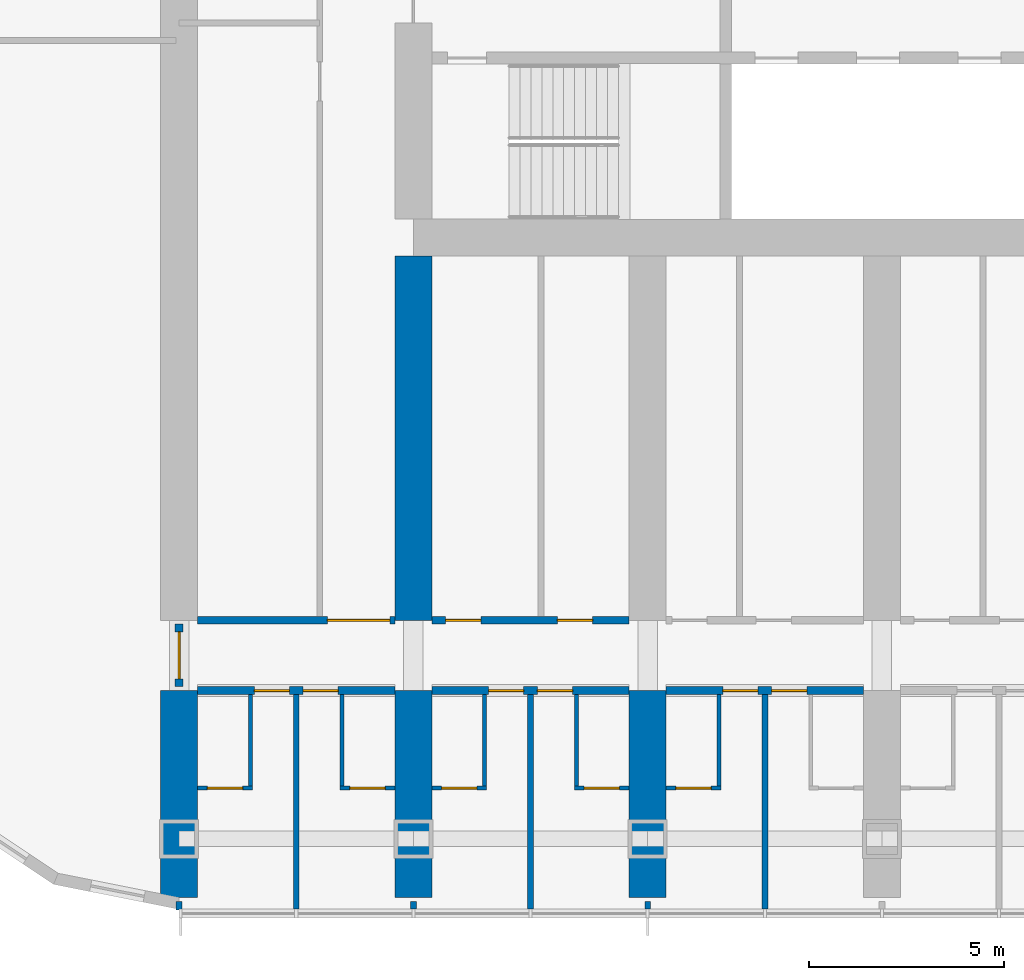
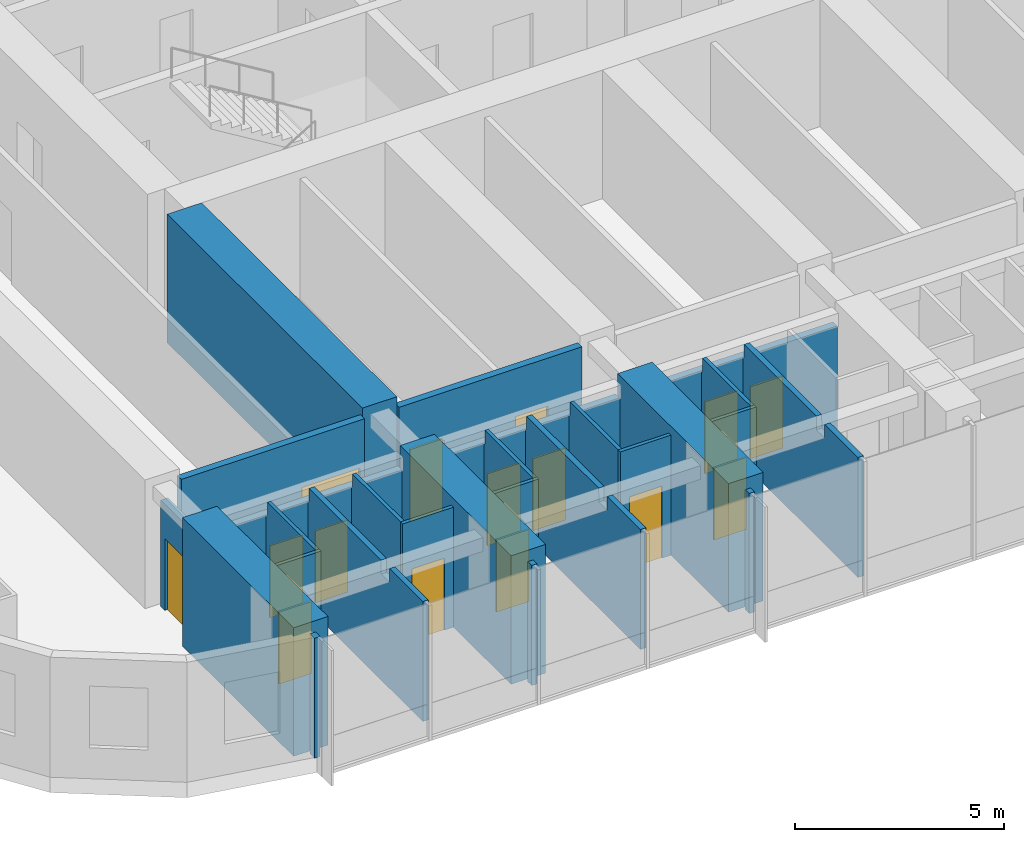
# One storey, part 10 of 25: 26 walls, 15 doors, 15 openings.
"""IFC4 building model written with IfcOpenShell, lengths in metres."""

from ifc_helpers import new_model, si_unit, direction, frame, frame_2d, origin, place, context, subcontext, project, spatial, polyline, rectangle, outline, extrude, material, layer, layer_set, type_object, element, fill, save


model = new_model("IFC4")

# Units and contexts
model_context = context("Model", 3, precision=1e-05, world=origin(), true_north=direction((0.0, 1.0)))
body_context = subcontext(model_context, "Body", "Model", "MODEL_VIEW")
ifc_project = project(units=[si_unit("LENGTHUNIT", "METRE"), si_unit("AREAUNIT", "SQUARE_METRE"), si_unit("VOLUMEUNIT", "CUBIC_METRE"), si_unit("PLANEANGLEUNIT", "RADIAN"), si_unit("MASSUNIT", "GRAM", prefix="KILO")], contexts=[model_context])

# Site, building, storey
site_placement = place(None, origin())
site = spatial("IfcSite", under=ifc_project, at=site_placement, CompositionType="ELEMENT")
building_placement = place(site_placement, origin())
building = spatial("IfcBuilding", under=site, at=building_placement, Name="Orbita Commons", CompositionType="ELEMENT")
storey_placement = place(building_placement, frame((0.0, 0.0, 84.39990234375)))
storey = spatial("IfcBuildingStorey", under=building, at=storey_placement, Name="L20", CompositionType="ELEMENT", Elevation=84.39990234375)

# Wall, openings, doors
ifc_material_1 = material(Name="Concrete blockwork", Category="masonry")
ifc_layer_1 = layer(ifc_material_1, 0.199951171875)
ifc_layer_set_1 = layer_set([ifc_layer_1], Name="Concrete blockwork")
wall_type_1 = type_object("IfcWallType", Name="Corridor wall 200 blockwork", PredefinedType="SOLIDWALL", material=ifc_layer_set_1)
wall_1_placement = place(storey_placement, frame((12.47509765625, 14.199951171875, 0.0), z_axis=(0.0, 0.0, 1.0), x_axis=(1.0, 0.0, 0.0)))
wall_1 = element("IfcWall", 1, at=wall_1_placement, inside=storey, type_object=wall_type_1, Name="Corridor wall 200 blockwork L20", PredefinedType="SOLIDWALL", context=body_context, shape_type="SweptSolid", body=[
    extrude(outline(polyline([(0.0, 0.0), (5.0498046875, 0.0), (5.050048828125, 3.10009765625), (0.0, 3.10009765625), (0.0, 0.0)])), frame((0.0, 0.10009765625, 0.0), z_axis=(0.0, -1.0, 0.0), x_axis=(1.0, 0.0, 0.0)), (0.0, 0.0, 1.0), 0.199951171875),
])
opening_1_placement = place(wall_1_placement, frame((1.449951171875, 0.0, 0.0)))
opening_1 = element("IfcOpeningElement", 2, at=opening_1_placement, cuts=wall_1, Name="Opening D11", PredefinedType="OPENING", context=body_context, shape_type="SweptSolid", body=[
    extrude(rectangle(XDim=0.89990234375, YDim=2.10009765625, at=frame_2d((0.449951171875, 1.050048828125))), frame((0.0, 0.10986328125, 0.0), z_axis=(0.0, -1.0, 0.0), x_axis=(1.0, 0.0, 0.0)), (0.0, 0.0, 1.0), 0.219970703125),
])
opening_2_placement = place(wall_1_placement, frame((2.699951171875, 0.0, 0.0)))
opening_2 = element("IfcOpeningElement", 3, at=opening_2_placement, cuts=wall_1, Name="Opening D11", PredefinedType="OPENING", context=body_context, shape_type="SweptSolid", body=[
    extrude(rectangle(XDim=0.89990234375, YDim=2.10009765625, at=frame_2d((0.449951171875, 1.050048828125))), frame((0.0, 0.10986328125, 0.0), z_axis=(0.0, -1.0, 0.0), x_axis=(1.0, 0.0, 0.0)), (0.0, 0.0, 1.0), 0.219970703125),
])
ifc_material_2 = material(Name="Steel-faced fire door leaf", Category="steel")
door_type_1 = type_object("IfcDoorType", Name="Corridor door 20 min 900x2100", OperationType="SINGLE_SWING_LEFT", PredefinedType="DOOR", material=ifc_material_2)
door_1_placement = place(opening_1_placement, origin())
door_1 = element("IfcDoor", 4, at=door_1_placement, inside=storey, type_object=door_type_1, Name="Cluster bedroom L20-S00 door", OperationType="SINGLE_SWING_LEFT", OverallHeight=2.10009765625, OverallWidth=0.89990234375, PredefinedType="DOOR", context=body_context, shape_type="SweptSolid", body=[
    extrude(rectangle(XDim=0.89990234375, YDim=2.10009765625, at=frame_2d((0.449951171875, 1.050048828125))), frame((0.0, 0.02490234375, 0.0), z_axis=(0.0, -1.0, 0.0), x_axis=(1.0, 0.0, 0.0)), (0.0, 0.0, 1.0), 0.050048828125),
])
fill(opening_1, door_1)
door_2_placement = place(opening_2_placement, origin())
door_2 = element("IfcDoor", 5, at=door_2_placement, inside=storey, type_object=door_type_1, Name="Cluster bedroom L20-S01 door", OperationType="SINGLE_SWING_LEFT", OverallHeight=2.10009765625, OverallWidth=0.89990234375, PredefinedType="DOOR", context=body_context, shape_type="SweptSolid", body=[
    extrude(rectangle(XDim=0.89990234375, YDim=2.10009765625, at=frame_2d((0.449951171875, 1.050048828125))), frame((0.0, 0.02490234375, 0.0), z_axis=(0.0, -1.0, 0.0), x_axis=(1.0, 0.0, 0.0)), (0.0, 0.0, 1.0), 0.050048828125),
])
fill(opening_2, door_2)

wall_2_placement = place(storey_placement, frame((18.47509765625, 14.199951171875, 0.0), z_axis=(0.0, 0.0, 1.0), x_axis=(1.0, 0.0, 0.0)))
wall_2 = element("IfcWall", 6, at=wall_2_placement, inside=storey, type_object=wall_type_1, Name="Corridor wall 200 blockwork L20", PredefinedType="SOLIDWALL", context=body_context, shape_type="SweptSolid", body=[
    extrude(outline(polyline([(0.0, 0.0), (5.0498046875, 0.0), (5.050048828125, 3.10009765625), (0.0, 3.10009765625), (0.0, 0.0)])), frame((0.0, 0.10009765625, 0.0), z_axis=(0.0, -1.0, 0.0), x_axis=(1.0, 0.0, 0.0)), (0.0, 0.0, 1.0), 0.199951171875),
])
opening_3_placement = place(wall_2_placement, frame((1.449951171875, 0.0, 0.0)))
opening_3 = element("IfcOpeningElement", 7, at=opening_3_placement, cuts=wall_2, Name="Opening D11", PredefinedType="OPENING", context=body_context, shape_type="SweptSolid", body=[
    extrude(rectangle(XDim=0.89990234375, YDim=2.10009765625, at=frame_2d((0.449951171875, 1.050048828125))), frame((0.0, 0.10986328125, 0.0), z_axis=(0.0, -1.0, 0.0), x_axis=(1.0, 0.0, 0.0)), (0.0, 0.0, 1.0), 0.219970703125),
])
opening_4_placement = place(wall_2_placement, frame((2.699951171875, 0.0, 0.0)))
opening_4 = element("IfcOpeningElement", 8, at=opening_4_placement, cuts=wall_2, Name="Opening D11", PredefinedType="OPENING", context=body_context, shape_type="SweptSolid", body=[
    extrude(rectangle(XDim=0.89990234375, YDim=2.10009765625, at=frame_2d((0.449951171875, 1.050048828125))), frame((0.0, 0.10986328125, 0.0), z_axis=(0.0, -1.0, 0.0), x_axis=(1.0, 0.0, 0.0)), (0.0, 0.0, 1.0), 0.219970703125),
])
door_3_placement = place(opening_3_placement, origin())
door_3 = element("IfcDoor", 9, at=door_3_placement, inside=storey, type_object=door_type_1, Name="Cluster bedroom L20-S02 door", OperationType="SINGLE_SWING_LEFT", OverallHeight=2.10009765625, OverallWidth=0.89990234375, PredefinedType="DOOR", context=body_context, shape_type="SweptSolid", body=[
    extrude(rectangle(XDim=0.89990234375, YDim=2.10009765625, at=frame_2d((0.449951171875, 1.050048828125))), frame((0.0, 0.02490234375, 0.0), z_axis=(0.0, -1.0, 0.0), x_axis=(1.0, 0.0, 0.0)), (0.0, 0.0, 1.0), 0.050048828125),
])
fill(opening_3, door_3)
door_4_placement = place(opening_4_placement, origin())
door_4 = element("IfcDoor", 10, at=door_4_placement, inside=storey, type_object=door_type_1, Name="Cluster bedroom L20-S03 door", OperationType="SINGLE_SWING_LEFT", OverallHeight=2.10009765625, OverallWidth=0.89990234375, PredefinedType="DOOR", context=body_context, shape_type="SweptSolid", body=[
    extrude(rectangle(XDim=0.89990234375, YDim=2.10009765625, at=frame_2d((0.449951171875, 1.050048828125))), frame((0.0, 0.02490234375, 0.0), z_axis=(0.0, -1.0, 0.0), x_axis=(1.0, 0.0, 0.0)), (0.0, 0.0, 1.0), 0.050048828125),
])
fill(opening_4, door_4)

wall_3_placement = place(storey_placement, frame((24.47509765625, 14.199951171875, 0.0), z_axis=(0.0, 0.0, 1.0), x_axis=(1.0, 0.0, 0.0)))
wall_3 = element("IfcWall", 11, at=wall_3_placement, inside=storey, type_object=wall_type_1, Name="Corridor wall 200 blockwork L20", PredefinedType="SOLIDWALL", context=body_context, shape_type="SweptSolid", body=[
    extrude(outline(polyline([(0.0, 0.0), (5.0498046875, 0.0), (5.050048828125, 3.10009765625), (0.0, 3.10009765625), (0.0, 0.0)])), frame((0.0, 0.10009765625, 0.0), z_axis=(0.0, -1.0, 0.0), x_axis=(1.0, 0.0, 0.0)), (0.0, 0.0, 1.0), 0.199951171875),
])
opening_5_placement = place(wall_3_placement, frame((1.449951171875, 0.0, 0.0)))
opening_5 = element("IfcOpeningElement", 12, at=opening_5_placement, cuts=wall_3, Name="Opening D11", PredefinedType="OPENING", context=body_context, shape_type="SweptSolid", body=[
    extrude(rectangle(XDim=0.89990234375, YDim=2.10009765625, at=frame_2d((0.449951171875, 1.050048828125))), frame((0.0, 0.10986328125, 0.0), z_axis=(0.0, -1.0, 0.0), x_axis=(1.0, 0.0, 0.0)), (0.0, 0.0, 1.0), 0.219970703125),
])
opening_6_placement = place(wall_3_placement, frame((2.699951171875, 0.0, 0.0)))
opening_6 = element("IfcOpeningElement", 13, at=opening_6_placement, cuts=wall_3, Name="Opening D11", PredefinedType="OPENING", context=body_context, shape_type="SweptSolid", body=[
    extrude(rectangle(XDim=0.89990234375, YDim=2.10009765625, at=frame_2d((0.449951171875, 1.050048828125))), frame((0.0, 0.10986328125, 0.0), z_axis=(0.0, -1.0, 0.0), x_axis=(1.0, 0.0, 0.0)), (0.0, 0.0, 1.0), 0.219970703125),
])
door_5_placement = place(opening_5_placement, origin())
door_5 = element("IfcDoor", 14, at=door_5_placement, inside=storey, type_object=door_type_1, Name="Cluster bedroom L20-S04 door", OperationType="SINGLE_SWING_LEFT", OverallHeight=2.10009765625, OverallWidth=0.89990234375, PredefinedType="DOOR", context=body_context, shape_type="SweptSolid", body=[
    extrude(rectangle(XDim=0.89990234375, YDim=2.10009765625, at=frame_2d((0.449951171875, 1.050048828125))), frame((0.0, 0.02490234375, 0.0), z_axis=(0.0, -1.0, 0.0), x_axis=(1.0, 0.0, 0.0)), (0.0, 0.0, 1.0), 0.050048828125),
])
fill(opening_5, door_5)
door_6_placement = place(opening_6_placement, origin())
door_6 = element("IfcDoor", 15, at=door_6_placement, inside=storey, type_object=door_type_1, Name="Cluster bedroom L20-S05 door", OperationType="SINGLE_SWING_LEFT", OverallHeight=2.10009765625, OverallWidth=0.89990234375, PredefinedType="DOOR", context=body_context, shape_type="SweptSolid", body=[
    extrude(rectangle(XDim=0.89990234375, YDim=2.10009765625, at=frame_2d((0.449951171875, 1.050048828125))), frame((0.0, 0.02490234375, 0.0), z_axis=(0.0, -1.0, 0.0), x_axis=(1.0, 0.0, 0.0)), (0.0, 0.0, 1.0), 0.050048828125),
])
fill(opening_6, door_6)

# Wall, opening, door
wall_4_placement = place(storey_placement, frame((12.0, 14.300048828125, 0.0), z_axis=(0.0, 0.0, 1.0), x_axis=(0.0, 1.0, 0.0)))
wall_4 = element("IfcWall", 16, at=wall_4_placement, inside=storey, type_object=wall_type_1, Name="Corridor wall 200 blockwork L20", PredefinedType="SOLIDWALL", context=body_context, shape_type="SweptSolid", body=[
    extrude(outline(polyline([(0.0, 0.0), (1.599853515625, 0.0), (1.60009765625, 3.10009765625), (0.0, 3.10009765625), (0.0, 0.0)])), frame((0.0, 0.10009765625, 0.0), z_axis=(0.0, -1.0, 0.0), x_axis=(1.0, 0.0, 0.0)), (0.0, 0.0, 1.0), 0.199951171875),
])
opening_7_placement = place(wall_4_placement, frame((0.199951171875, 0.0, 0.0)))
opening_7 = element("IfcOpeningElement", 17, at=opening_7_placement, cuts=wall_4, Name="Opening D12", PredefinedType="OPENING", context=body_context, shape_type="SweptSolid", body=[
    extrude(rectangle(XDim=1.199951171875, YDim=2.10009765625, at=frame_2d((0.60009765625, 1.050048828125))), frame((0.0, 0.10986328125, 0.0), z_axis=(0.0, -1.0, 0.0), x_axis=(1.0, 0.0, 0.0)), (0.0, 0.0, 1.0), 0.219970703125),
])
ifc_material_3 = material(Name="Steel-faced fire door leaf", Category="steel")
door_type_2 = type_object("IfcDoorType", Name="Double corridor door 20 min 1200x2100", OperationType="DOUBLE_DOOR_SINGLE_SWING", PredefinedType="DOOR", material=ifc_material_3)
door_7_placement = place(opening_7_placement, origin())
door_7 = element("IfcDoor", 18, at=door_7_placement, inside=storey, type_object=door_type_2, Name="Lounge doors", OperationType="DOUBLE_DOOR_SINGLE_SWING", OverallHeight=2.10009765625, OverallWidth=1.199951171875, PredefinedType="DOOR", context=body_context, shape_type="SweptSolid", body=[
    extrude(rectangle(XDim=1.199951171875, YDim=2.10009765625, at=frame_2d((0.60009765625, 1.050048828125))), frame((0.0, 0.02490234375, 0.0), z_axis=(0.0, -1.0, 0.0), x_axis=(1.0, 0.0, 0.0)), (0.0, 0.0, 1.0), 0.050048828125),
])
fill(opening_7, door_7)

ifc_material_4 = material(Name="Hollow concrete block 200", Category="concrete")
ifc_layer_2 = layer(ifc_material_4, 0.199951171875)
ifc_layer_set_2 = layer_set([ifc_layer_2], Name="Hollow concrete block 200")
wall_type_2 = type_object("IfcWallType", Name="Corridor wall 200 hollow concrete block", PredefinedType="SOLIDWALL", material=ifc_layer_set_2)
wall_5_placement = place(storey_placement, frame((12.47509765625, 16.0, 0.0), z_axis=(0.0, 0.0, 1.0), x_axis=(1.0, 0.0, 0.0)))
wall_5 = element("IfcWall", 19, at=wall_5_placement, inside=storey, type_object=wall_type_2, Name="Corridor wall 200 hollow concrete block L20", PredefinedType="SOLIDWALL", context=body_context, shape_type="SweptSolid", body=[
    extrude(rectangle(XDim=5.0498046875, YDim=0.199951171875, at=frame_2d((2.52490234375, 0.0))), origin(), (0.0, 0.0, 1.0), 3.5),
])
opening_8_placement = place(wall_5_placement, frame((3.324951171875, 0.0, 0.0)))
opening_8 = element("IfcOpeningElement", 20, at=opening_8_placement, cuts=wall_5, Name="Opening D10", PredefinedType="OPENING", context=body_context, shape_type="SweptSolid", body=[
    extrude(rectangle(XDim=1.60009765625, YDim=2.10009765625, at=frame_2d((0.800048828125, 1.050048828125))), frame((0.0, 0.10986328125, 0.0), z_axis=(0.0, -1.0, 0.0), x_axis=(1.0, 0.0, 0.0)), (0.0, 0.0, 1.0), 0.219970703125),
])
ifc_material_5 = material(Name="Steel-faced fire door leaf", Category="steel")
door_type_3 = type_object("IfcDoorType", Name="Double corridor door 20 min 1600x2100", OperationType="DOUBLE_DOOR_SINGLE_SWING", PredefinedType="DOOR", material=ifc_material_5)
door_8_placement = place(opening_8_placement, origin())
door_8 = element("IfcDoor", 21, at=door_8_placement, inside=storey, type_object=door_type_3, Name="Cross corridor doors", OperationType="DOUBLE_DOOR_SINGLE_SWING", OverallHeight=2.10009765625, OverallWidth=1.60009765625, PredefinedType="DOOR", context=body_context, shape_type="SweptSolid", body=[
    extrude(rectangle(XDim=1.60009765625, YDim=2.10009765625, at=frame_2d((0.800048828125, 1.050048828125))), frame((0.0, 0.02490234375, 0.0), z_axis=(0.0, -1.0, 0.0), x_axis=(1.0, 0.0, 0.0)), (0.0, 0.0, 1.0), 0.050048828125),
])
fill(opening_8, door_8)

# Wall, openings, doors
wall_6_placement = place(storey_placement, frame((18.47509765625, 16.0, 0.0), z_axis=(0.0, 0.0, 1.0), x_axis=(1.0, 0.0, 0.0)))
wall_6 = element("IfcWall", 22, at=wall_6_placement, inside=storey, type_object=wall_type_2, Name="Corridor wall 200 hollow concrete block L20", PredefinedType="SOLIDWALL", context=body_context, shape_type="SweptSolid", body=[
    extrude(rectangle(XDim=5.0498046875, YDim=0.199951171875, at=frame_2d((2.52490234375, 0.0))), origin(), (0.0, 0.0, 1.0), 3.5),
])
opening_9_placement = place(wall_6_placement, frame((0.35009765625, 0.0, 0.0)))
opening_9 = element("IfcOpeningElement", 23, at=opening_9_placement, cuts=wall_6, Name="Opening D11", PredefinedType="OPENING", context=body_context, shape_type="SweptSolid", body=[
    extrude(rectangle(XDim=0.89990234375, YDim=2.10009765625, at=frame_2d((0.449951171875, 1.050048828125))), frame((0.0, 0.10986328125, 0.0), z_axis=(0.0, -1.0, 0.0), x_axis=(1.0, 0.0, 0.0)), (0.0, 0.0, 1.0), 0.219970703125),
])
opening_10_placement = place(wall_6_placement, frame((3.215087890625, 0.0, 0.0)))
opening_10 = element("IfcOpeningElement", 24, at=opening_10_placement, cuts=wall_6, Name="Opening D11", PredefinedType="OPENING", context=body_context, shape_type="SweptSolid", body=[
    extrude(rectangle(XDim=0.89990234375, YDim=2.10009765625, at=frame_2d((0.449951171875, 1.050048828125))), frame((0.0, 0.10986328125, 0.0), z_axis=(0.0, -1.0, 0.0), x_axis=(1.0, 0.0, 0.0)), (0.0, 0.0, 1.0), 0.219970703125),
])
door_9_placement = place(opening_9_placement, origin())
door_9 = element("IfcDoor", 25, at=door_9_placement, inside=storey, type_object=door_type_1, Name="Yoga room L20-BDS18 door", OperationType="SINGLE_SWING_LEFT", OverallHeight=2.10009765625, OverallWidth=0.89990234375, PredefinedType="DOOR", context=body_context, shape_type="SweptSolid", body=[
    extrude(rectangle(XDim=0.89990234375, YDim=2.10009765625, at=frame_2d((0.449951171875, 1.050048828125))), frame((0.0, 0.02490234375, 0.0), z_axis=(0.0, -1.0, 0.0), x_axis=(1.0, 0.0, 0.0)), (0.0, 0.0, 1.0), 0.050048828125),
])
fill(opening_9, door_9)
door_10_placement = place(opening_10_placement, origin())
door_10 = element("IfcDoor", 26, at=door_10_placement, inside=storey, type_object=door_type_1, Name="Accessible WC and shower room L20-BDS18n door", OperationType="SINGLE_SWING_LEFT", OverallHeight=2.10009765625, OverallWidth=0.89990234375, PredefinedType="DOOR", context=body_context, shape_type="SweptSolid", body=[
    extrude(rectangle(XDim=0.89990234375, YDim=2.10009765625, at=frame_2d((0.449951171875, 1.050048828125))), frame((0.0, 0.02490234375, 0.0), z_axis=(0.0, -1.0, 0.0), x_axis=(1.0, 0.0, 0.0)), (0.0, 0.0, 1.0), 0.050048828125),
])
fill(opening_10, door_10)

# Walls
ifc_material_6 = material(Name="Concrete C50/60", Category="concrete")
ifc_layer_3 = layer(ifc_material_6, 0.949951171875)
ifc_layer_set_3 = layer_set([ifc_layer_3], Name="Concrete C50/60")
wall_type_3 = type_object("IfcWallType", Name="Cross wall 950 C50/60", PredefinedType="SHEAR", material=ifc_layer_set_3)
for number, where, z_axis, x_axis, name in (
    (27, (12.0, 8.89990234375, 0.0), (0.0, 0.0, 1.0), (0.0, 1.0, 0.0), "Cross wall 3 south outer L20"),
    (28, (18.0, 8.89990234375, 0.0), (0.0, 0.0, 1.0), (0.0, 1.0, 0.0), "Cross wall 4 south outer L20"),
):
    element("IfcWall", number, at=place(storey_placement, frame(where, z_axis=z_axis, x_axis=x_axis)), inside=storey, type_object=wall_type_3, Name=name, PredefinedType="SHEAR", context=body_context, shape_type="SweptSolid", body=[
        extrude(rectangle(XDim=5.300048828125, YDim=0.949951171875, at=frame_2d((2.64990234375, 0.0))), origin(), (0.0, 0.0, 1.0), 3.75),
    ])
wall_7_placement = place(storey_placement, frame((18.0, 16.0, 0.0), z_axis=(0.0, 0.0, 1.0), x_axis=(0.0, 1.0, 0.0)))
element("IfcWall", 29, at=wall_7_placement, inside=storey, type_object=wall_type_3, Name="Cross wall 4 south inner L20", PredefinedType="SHEAR", context=body_context, shape_type="SweptSolid", body=[
    extrude(rectangle(XDim=9.324951171875, YDim=0.949951171875, at=frame_2d((4.66259765625, 0.0))), origin(), (0.0, 0.0, 1.0), 3.75),
])
wall_8_placement = place(storey_placement, frame((24.0, 8.89990234375, 0.0), z_axis=(0.0, 0.0, 1.0), x_axis=(0.0, 1.0, 0.0)))
element("IfcWall", 30, at=wall_8_placement, inside=storey, type_object=wall_type_3, Name="Cross wall 5 south outer L20", PredefinedType="SHEAR", context=body_context, shape_type="SweptSolid", body=[
    extrude(rectangle(XDim=5.300048828125, YDim=0.949951171875, at=frame_2d((2.64990234375, 0.0))), origin(), (0.0, 0.0, 1.0), 3.75),
])

# Wall, opening, door
ifc_material_7 = material(Name="Moisture-resistant plasterboard on steel studs", Category="steel")
ifc_layer_4 = layer(ifc_material_7, 0.10009765625)
ifc_layer_set_4 = layer_set([ifc_layer_4], Name="Moisture-resistant plasterboard on steel studs")
wall_type_4 = type_object("IfcWallType", Name="En-suite partition 100", PredefinedType="PARTITIONING", material=ifc_layer_set_4)
wall_9_placement = place(storey_placement, frame((13.875, 11.699951171875, 0.0), z_axis=(0.0, 0.0, 1.0), x_axis=(-1.0, 0.0, 0.0)))
wall_9 = element("IfcWall", 31, at=wall_9_placement, inside=storey, type_object=wall_type_4, Name="En-suite partition 100 L20", PredefinedType="PARTITIONING", context=body_context, shape_type="SweptSolid", body=[
    extrude(rectangle(XDim=1.39990234375, YDim=0.10009765625, at=frame_2d((0.699951171875, 0.0))), origin(), (0.0, 0.0, 1.0), 3.5),
])
opening_11_placement = place(wall_9_placement, frame((0.25, 0.0, 0.0)))
opening_11 = element("IfcOpeningElement", 32, at=opening_11_placement, cuts=wall_9, Name="Opening D09", PredefinedType="OPENING", context=body_context, shape_type="SweptSolid", body=[
    extrude(rectangle(XDim=0.89990234375, YDim=2.10009765625, at=frame_2d((0.449951171875, 1.050048828125))), frame((0.0, 0.06005859375, 0.0), z_axis=(0.0, -1.0, 0.0), x_axis=(1.0, 0.0, 0.0)), (0.0, 0.0, 1.0), 0.1201171875),
])
ifc_material_8 = material(Name="Laminated timber door leaf", Category="wood")
door_type_4 = type_object("IfcDoorType", Name="En-suite door 900x2100", OperationType="SINGLE_SWING_RIGHT", PredefinedType="DOOR", material=ifc_material_8)
door_11_placement = place(opening_11_placement, origin())
door_11 = element("IfcDoor", 33, at=door_11_placement, inside=storey, type_object=door_type_4, Name="En-suite L20-S00 door", OperationType="SINGLE_SWING_RIGHT", OverallHeight=2.10009765625, OverallWidth=0.89990234375, PredefinedType="DOOR", context=body_context, shape_type="SweptSolid", body=[
    extrude(rectangle(XDim=0.89990234375, YDim=2.10009765625, at=frame_2d((0.449951171875, 1.050048828125))), frame((0.0, 0.02490234375, 0.0), z_axis=(0.0, -1.0, 0.0), x_axis=(1.0, 0.0, 0.0)), (0.0, 0.0, 1.0), 0.050048828125),
])
fill(opening_11, door_11)

# Wall
wall_10_placement = place(storey_placement, frame((13.824951171875, 11.75, 0.0), z_axis=(0.0, 0.0, 1.0), x_axis=(0.0, 1.0, 0.0)))
element("IfcWall", 34, at=wall_10_placement, inside=storey, type_object=wall_type_4, Name="En-suite partition 100 L20", PredefinedType="PARTITIONING", context=body_context, shape_type="SweptSolid", body=[
    extrude(outline(polyline([(0.0, 0.0), (2.35009765625, 0.0), (2.35009765625, 3.10009765625), (2.302001953125, 3.10009765625), (2.300048828125, 3.5), (0.0, 3.5), (0.0, 0.0)])), frame((0.0, 0.050048828125, 0.0), z_axis=(0.0, -1.0, 0.0), x_axis=(1.0, 0.0, 0.0)), (0.0, 0.0, 1.0), 0.10009765625),
])

# Wall, opening, door
wall_11_placement = place(storey_placement, frame((17.52490234375, 11.699951171875, 0.0), z_axis=(0.0, 0.0, 1.0), x_axis=(-1.0, 0.0, 0.0)))
wall_11 = element("IfcWall", 35, at=wall_11_placement, inside=storey, type_object=wall_type_4, Name="En-suite partition 100 L20", PredefinedType="PARTITIONING", context=body_context, shape_type="SweptSolid", body=[
    extrude(rectangle(XDim=1.39990234375, YDim=0.10009765625, at=frame_2d((0.699951171875, 0.0))), origin(), (0.0, 0.0, 1.0), 3.5),
])
opening_12_placement = place(wall_11_placement, frame((0.25, 0.0, 0.0)))
opening_12 = element("IfcOpeningElement", 36, at=opening_12_placement, cuts=wall_11, Name="Opening D09", PredefinedType="OPENING", context=body_context, shape_type="SweptSolid", body=[
    extrude(rectangle(XDim=0.89990234375, YDim=2.10009765625, at=frame_2d((0.449951171875, 1.050048828125))), frame((0.0, 0.06005859375, 0.0), z_axis=(0.0, -1.0, 0.0), x_axis=(1.0, 0.0, 0.0)), (0.0, 0.0, 1.0), 0.1201171875),
])
door_12_placement = place(opening_12_placement, origin())
door_12 = element("IfcDoor", 37, at=door_12_placement, inside=storey, type_object=door_type_4, Name="En-suite L20-S01 door", OperationType="SINGLE_SWING_RIGHT", OverallHeight=2.10009765625, OverallWidth=0.89990234375, PredefinedType="DOOR", context=body_context, shape_type="SweptSolid", body=[
    extrude(rectangle(XDim=0.89990234375, YDim=2.10009765625, at=frame_2d((0.449951171875, 1.050048828125))), frame((0.0, 0.02490234375, 0.0), z_axis=(0.0, -1.0, 0.0), x_axis=(1.0, 0.0, 0.0)), (0.0, 0.0, 1.0), 0.050048828125),
])
fill(opening_12, door_12)

# Wall
wall_12_placement = place(storey_placement, frame((16.175048828125, 11.75, 0.0), z_axis=(0.0, 0.0, 1.0), x_axis=(0.0, 1.0, 0.0)))
element("IfcWall", 38, at=wall_12_placement, inside=storey, type_object=wall_type_4, Name="En-suite partition 100 L20", PredefinedType="PARTITIONING", context=body_context, shape_type="SweptSolid", body=[
    extrude(outline(polyline([(0.0, 0.0), (2.35009765625, 0.0), (2.35009765625, 3.10009765625), (2.302001953125, 3.10009765625), (2.300048828125, 3.5), (0.0, 3.5), (0.0, 0.0)])), frame((0.0, 0.050048828125, 0.0), z_axis=(0.0, -1.0, 0.0), x_axis=(1.0, 0.0, 0.0)), (0.0, 0.0, 1.0), 0.10009765625),
])

# Wall, opening, door
wall_13_placement = place(storey_placement, frame((19.875, 11.699951171875, 0.0), z_axis=(0.0, 0.0, 1.0), x_axis=(-1.0, 0.0, 0.0)))
wall_13 = element("IfcWall", 39, at=wall_13_placement, inside=storey, type_object=wall_type_4, Name="En-suite partition 100 L20", PredefinedType="PARTITIONING", context=body_context, shape_type="SweptSolid", body=[
    extrude(rectangle(XDim=1.39990234375, YDim=0.10009765625, at=frame_2d((0.699951171875, 0.0))), origin(), (0.0, 0.0, 1.0), 3.5),
])
opening_13_placement = place(wall_13_placement, frame((0.25, 0.0, 0.0)))
opening_13 = element("IfcOpeningElement", 40, at=opening_13_placement, cuts=wall_13, Name="Opening D09", PredefinedType="OPENING", context=body_context, shape_type="SweptSolid", body=[
    extrude(rectangle(XDim=0.89990234375, YDim=2.10009765625, at=frame_2d((0.449951171875, 1.050048828125))), frame((0.0, 0.06005859375, 0.0), z_axis=(0.0, -1.0, 0.0), x_axis=(1.0, 0.0, 0.0)), (0.0, 0.0, 1.0), 0.1201171875),
])
door_13_placement = place(opening_13_placement, origin())
door_13 = element("IfcDoor", 41, at=door_13_placement, inside=storey, type_object=door_type_4, Name="En-suite L20-S02 door", OperationType="SINGLE_SWING_RIGHT", OverallHeight=2.10009765625, OverallWidth=0.89990234375, PredefinedType="DOOR", context=body_context, shape_type="SweptSolid", body=[
    extrude(rectangle(XDim=0.89990234375, YDim=2.10009765625, at=frame_2d((0.449951171875, 1.050048828125))), frame((0.0, 0.02490234375, 0.0), z_axis=(0.0, -1.0, 0.0), x_axis=(1.0, 0.0, 0.0)), (0.0, 0.0, 1.0), 0.050048828125),
])
fill(opening_13, door_13)

# Wall
wall_14_placement = place(storey_placement, frame((19.824951171875, 11.75, 0.0), z_axis=(0.0, 0.0, 1.0), x_axis=(0.0, 1.0, 0.0)))
element("IfcWall", 42, at=wall_14_placement, inside=storey, type_object=wall_type_4, Name="En-suite partition 100 L20", PredefinedType="PARTITIONING", context=body_context, shape_type="SweptSolid", body=[
    extrude(outline(polyline([(0.0, 0.0), (2.35009765625, 0.0), (2.35009765625, 3.10009765625), (2.302001953125, 3.10009765625), (2.300048828125, 3.5), (0.0, 3.5), (0.0, 0.0)])), frame((0.0, 0.050048828125, 0.0), z_axis=(0.0, -1.0, 0.0), x_axis=(1.0, 0.0, 0.0)), (0.0, 0.0, 1.0), 0.10009765625),
])

# Wall, opening, door
wall_15_placement = place(storey_placement, frame((23.52490234375, 11.699951171875, 0.0), z_axis=(0.0, 0.0, 1.0), x_axis=(-1.0, 0.0, 0.0)))
wall_15 = element("IfcWall", 43, at=wall_15_placement, inside=storey, type_object=wall_type_4, Name="En-suite partition 100 L20", PredefinedType="PARTITIONING", context=body_context, shape_type="SweptSolid", body=[
    extrude(rectangle(XDim=1.39990234375, YDim=0.10009765625, at=frame_2d((0.699951171875, 0.0))), origin(), (0.0, 0.0, 1.0), 3.5),
])
opening_14_placement = place(wall_15_placement, frame((0.25, 0.0, 0.0)))
opening_14 = element("IfcOpeningElement", 44, at=opening_14_placement, cuts=wall_15, Name="Opening D09", PredefinedType="OPENING", context=body_context, shape_type="SweptSolid", body=[
    extrude(rectangle(XDim=0.89990234375, YDim=2.10009765625, at=frame_2d((0.449951171875, 1.050048828125))), frame((0.0, 0.06005859375, 0.0), z_axis=(0.0, -1.0, 0.0), x_axis=(1.0, 0.0, 0.0)), (0.0, 0.0, 1.0), 0.1201171875),
])
door_14_placement = place(opening_14_placement, origin())
door_14 = element("IfcDoor", 45, at=door_14_placement, inside=storey, type_object=door_type_4, Name="En-suite L20-S03 door", OperationType="SINGLE_SWING_RIGHT", OverallHeight=2.10009765625, OverallWidth=0.89990234375, PredefinedType="DOOR", context=body_context, shape_type="SweptSolid", body=[
    extrude(rectangle(XDim=0.89990234375, YDim=2.10009765625, at=frame_2d((0.449951171875, 1.050048828125))), frame((0.0, 0.02490234375, 0.0), z_axis=(0.0, -1.0, 0.0), x_axis=(1.0, 0.0, 0.0)), (0.0, 0.0, 1.0), 0.050048828125),
])
fill(opening_14, door_14)

# Wall
wall_16_placement = place(storey_placement, frame((22.175048828125, 11.75, 0.0), z_axis=(0.0, 0.0, 1.0), x_axis=(0.0, 1.0, 0.0)))
element("IfcWall", 46, at=wall_16_placement, inside=storey, type_object=wall_type_4, Name="En-suite partition 100 L20", PredefinedType="PARTITIONING", context=body_context, shape_type="SweptSolid", body=[
    extrude(outline(polyline([(0.0, 0.0), (2.35009765625, 0.0), (2.35009765625, 3.10009765625), (2.302001953125, 3.10009765625), (2.300048828125, 3.5), (0.0, 3.5), (0.0, 0.0)])), frame((0.0, 0.050048828125, 0.0), z_axis=(0.0, -1.0, 0.0), x_axis=(1.0, 0.0, 0.0)), (0.0, 0.0, 1.0), 0.10009765625),
])

# Wall, opening, door
wall_17_placement = place(storey_placement, frame((25.875, 11.699951171875, 0.0), z_axis=(0.0, 0.0, 1.0), x_axis=(-1.0, 0.0, 0.0)))
wall_17 = element("IfcWall", 47, at=wall_17_placement, inside=storey, type_object=wall_type_4, Name="En-suite partition 100 L20", PredefinedType="PARTITIONING", context=body_context, shape_type="SweptSolid", body=[
    extrude(rectangle(XDim=1.39990234375, YDim=0.10009765625, at=frame_2d((0.699951171875, 0.0))), origin(), (0.0, 0.0, 1.0), 3.5),
])
opening_15_placement = place(wall_17_placement, frame((0.25, 0.0, 0.0)))
opening_15 = element("IfcOpeningElement", 48, at=opening_15_placement, cuts=wall_17, Name="Opening D09", PredefinedType="OPENING", context=body_context, shape_type="SweptSolid", body=[
    extrude(rectangle(XDim=0.89990234375, YDim=2.10009765625, at=frame_2d((0.449951171875, 1.050048828125))), frame((0.0, 0.06005859375, 0.0), z_axis=(0.0, -1.0, 0.0), x_axis=(1.0, 0.0, 0.0)), (0.0, 0.0, 1.0), 0.1201171875),
])
door_15_placement = place(opening_15_placement, origin())
door_15 = element("IfcDoor", 49, at=door_15_placement, inside=storey, type_object=door_type_4, Name="En-suite L20-S04 door", OperationType="SINGLE_SWING_RIGHT", OverallHeight=2.10009765625, OverallWidth=0.89990234375, PredefinedType="DOOR", context=body_context, shape_type="SweptSolid", body=[
    extrude(rectangle(XDim=0.89990234375, YDim=2.10009765625, at=frame_2d((0.449951171875, 1.050048828125))), frame((0.0, 0.02490234375, 0.0), z_axis=(0.0, -1.0, 0.0), x_axis=(1.0, 0.0, 0.0)), (0.0, 0.0, 1.0), 0.050048828125),
])
fill(opening_15, door_15)

# Walls
wall_18_placement = place(storey_placement, frame((25.824951171875, 11.75, 0.0), z_axis=(0.0, 0.0, 1.0), x_axis=(0.0, 1.0, 0.0)))
element("IfcWall", 50, at=wall_18_placement, inside=storey, type_object=wall_type_4, Name="En-suite partition 100 L20", PredefinedType="PARTITIONING", context=body_context, shape_type="SweptSolid", body=[
    extrude(outline(polyline([(0.0, 0.0), (2.35009765625, 0.0), (2.35009765625, 3.10009765625), (2.302001953125, 3.10009765625), (2.300048828125, 3.5), (0.0, 3.5), (0.0, 0.0)])), frame((0.0, 0.050048828125, 0.0), z_axis=(0.0, -1.0, 0.0), x_axis=(1.0, 0.0, 0.0)), (0.0, 0.0, 1.0), 0.10009765625),
])
ifc_material_9 = material(Name="Gypsum plasterboard on steel studs", Category="steel")
ifc_layer_5 = layer(ifc_material_9, 0.14990234375)
ifc_layer_set_5 = layer_set([ifc_layer_5], Name="Gypsum plasterboard on steel studs")
wall_type_5 = type_object("IfcWallType", Name="Partition 150 plasterboard", PredefinedType="PARTITIONING", material=ifc_layer_set_5)
wall_19_placement = place(storey_placement, frame((12.0, 8.800048828125, 0.0), z_axis=(0.0, 0.0, 1.0), x_axis=(0.0, -1.0, 0.0)))
element("IfcWall", 51, at=wall_19_placement, inside=storey, type_object=wall_type_5, Name="Partition 150 plasterboard L20", PredefinedType="PARTITIONING", context=body_context, shape_type="SweptSolid", body=[
    extrude(rectangle(XDim=0.219970703125, YDim=0.14990234375, at=frame_2d((0.10986328125, 0.0))), origin(), (0.0, 0.0, 1.0), 3.5),
])
for number, where, z_axis, x_axis, name in (
    (52, (18.0, 8.800048828125, 0.0), (0.0, 0.0, 1.0), (0.0, -1.0, 0.0), "Partition 150 plasterboard L20"),
    (53, (24.0, 8.800048828125, 0.0), (0.0, 0.0, 1.0), (0.0, -1.0, 0.0), "Partition 150 plasterboard L20"),
):
    element("IfcWall", number, at=place(storey_placement, frame(where, z_axis=z_axis, x_axis=x_axis)), inside=storey, type_object=wall_type_5, Name=name, PredefinedType="PARTITIONING", context=body_context, shape_type="SweptSolid", body=[
        extrude(rectangle(XDim=0.18994140625, YDim=0.14990234375, at=frame_2d((0.094970703125, 0.0))), origin(), (0.0, 0.0, 1.0), 3.5),
    ])
ifc_material_10 = material(Name="Gypsum plasterboard on steel studs", Category="steel")
ifc_layer_6 = layer(ifc_material_10, 0.14990234375)
ifc_layer_set_6 = layer_set([ifc_layer_6], Name="Gypsum plasterboard on steel studs")
wall_type_6 = type_object("IfcWallType", Name="Party wall 150 plasterboard", PredefinedType="PARTITIONING", material=ifc_layer_set_6)
for number, where, z_axis, x_axis, name in (
    (54, (15.0, 8.610107421875, 0.0), (0.0, 0.0, 1.0), (0.0, 1.0, 0.0), "Party wall 150 plasterboard L20"),
    (55, (21.0, 8.610107421875, 0.0), (0.0, 0.0, 1.0), (0.0, 1.0, 0.0), "Party wall 150 plasterboard L20"),
    (56, (27.0, 8.610107421875, 0.0), (0.0, 0.0, 1.0), (0.0, 1.0, 0.0), "Party wall 150 plasterboard L20"),
):
    element("IfcWall", number, at=place(storey_placement, frame(where, z_axis=z_axis, x_axis=x_axis)), inside=storey, type_object=wall_type_6, Name=name, PredefinedType="PARTITIONING", context=body_context, shape_type="SweptSolid", body=[
        extrude(outline(polyline([(0.0, 0.0), (5.489990234375, 0.0), (5.489990234375, 3.10009765625), (5.44189453125, 3.10009765625), (5.43994140625, 3.5), (1.991943359375, 3.5), (1.989990234375, 3.10009765625), (1.592041015625, 3.10009765625), (1.590087890625, 3.5), (0.0, 3.5), (0.0, 0.0)])), frame((0.0, 0.074951171875, 0.0), z_axis=(0.0, -1.0, 0.0), x_axis=(1.0, 0.0, 0.0)), (0.0, 0.0, 1.0), 0.14990234375),
    ])

save(model, "model.ifc")
